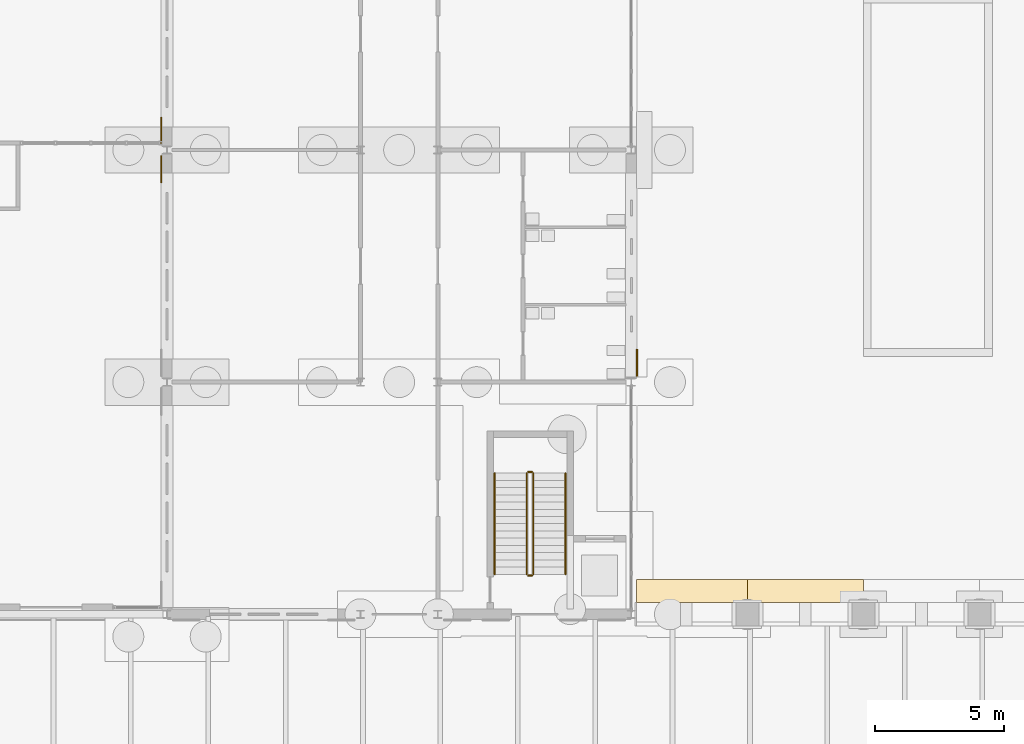
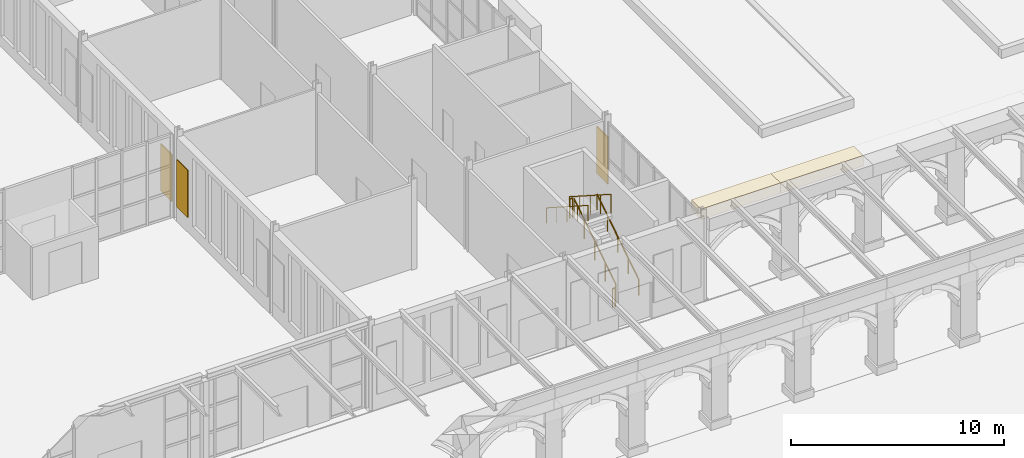
# One storey, part 135 of 168: 6 railings, 5 coverings.
"""IFC4 building model written with IfcOpenShell, lengths in metres."""

from ifc_helpers import new_model, si_unit, direction, frame, origin, origin_2d, place, context, subcontext, project, spatial, polyline, rectangle, circle, outline, extrude, material, layer, layer_set, material_profile, profile_set, type_object, element, save


model = new_model("IFC4")

# Units and contexts
model_context = context("Model", 3, precision=1e-05, world=origin(), true_north=direction((0.0, 1.0)))
body_context = subcontext(model_context, "Body", "Model", "MODEL_VIEW")
ifc_project = project(units=[si_unit("LENGTHUNIT", "METRE"), si_unit("AREAUNIT", "SQUARE_METRE"), si_unit("VOLUMEUNIT", "CUBIC_METRE"), si_unit("PLANEANGLEUNIT", "RADIAN"), si_unit("MASSUNIT", "GRAM", prefix="KILO")], contexts=[model_context])

# Site, building, storey
site_placement = place(None, origin())
site = spatial("IfcSite", under=ifc_project, at=site_placement, CompositionType="ELEMENT")
building_placement = place(site_placement, origin())
building = spatial("IfcBuilding", under=site, at=building_placement, Name="Golden Quay Civic Hall", CompositionType="ELEMENT")
storey_placement = place(building_placement, origin())
storey = spatial("IfcBuildingStorey", under=building, at=storey_placement, Name="L00", CompositionType="ELEMENT", Elevation=0.0)

# Railings
ifc_material_1 = material(Name="Steel S355", Category="steel")
railing_type_1 = type_object("IfcRailingType", Name="Steel guard 1100", PredefinedType="GUARDRAIL", material=ifc_material_1)
railing_1_placement = place(storey_placement, frame((113.199951171875, 1.550048828125, 0.179931640625)))
element("IfcRailing", 1, at=railing_1_placement, inside=storey, type_object=railing_type_1, Name="L00 EM-S stair guard 1", PredefinedType="GUARDRAIL", context=body_context, shape_type="SweptSolid", body=[
    extrude(circle(Radius=0.02392578125, at=origin_2d()), frame((0.0, 0.0, 1.076171875), z_axis=(0.0, 0.841171666519, 0.540768182723), x_axis=(-1.0, 0.0, 0.0)), (0.0, 0.0, 1.0), 4.66015625),
    extrude(circle(Radius=0.02099609375, at=origin_2d()), origin(), (0.0, 0.0, 1.0), 1.052001953125),
    extrude(circle(Radius=0.02099609375, at=origin_2d()), frame((0.0, 0.97998046875, 0.6298828125)), (0.0, 0.0, 1.0), 1.052001953125),
    extrude(circle(Radius=0.02099609375, at=origin_2d()), frame((0.0, 1.9599609375, 1.260009765625)), (0.0, 0.0, 1.0), 1.052001953125),
    extrude(circle(Radius=0.02099609375, at=origin_2d()), frame((0.0, 2.93994140625, 1.89013671875)), (0.0, 0.0, 1.0), 1.052001953125),
    extrude(circle(Radius=0.02099609375, at=origin_2d()), frame((0.0, 3.919921875, 2.52001953125)), (0.0, 0.0, 1.0), 1.052001953125),
])
railing_2_placement = place(storey_placement, frame((113.14990234375, 5.52001953125, 2.699951171875)))
element("IfcRailing", 2, at=railing_2_placement, inside=storey, type_object=railing_type_1, Name="L00 EM-S stair guard 2", PredefinedType="GUARDRAIL", context=body_context, shape_type="SweptSolid", body=[
    extrude(circle(Radius=0.02392578125, at=origin_2d()), frame((0.0, 0.0, 1.076171875), z_axis=(-1.0, 0.0, 0.0), x_axis=(0.0, -1.0, 0.0)), (0.0, 0.0, 1.0), 0.14990234375),
    extrude(circle(Radius=0.02099609375, at=origin_2d()), origin(), (0.0, 0.0, 1.0), 1.052001953125),
    extrude(circle(Radius=0.02099609375, at=origin_2d()), frame((-0.14990234375, 0.0, 0.0)), (0.0, 0.0, 1.0), 1.052001953125),
])
railing_3_placement = place(storey_placement, frame((112.949951171875, 5.469970703125, 2.8798828125)))
element("IfcRailing", 3, at=railing_3_placement, inside=storey, type_object=railing_type_1, Name="L00 EM-S stair guard 3", PredefinedType="GUARDRAIL", context=body_context, shape_type="SweptSolid", body=[
    extrude(circle(Radius=0.02392578125, at=origin_2d()), frame((0.0, 0.0, 1.076171875), z_axis=(0.0, -0.841171666519, 0.540768182723), x_axis=(1.0, 0.0, 0.0)), (0.0, 0.0, 1.0), 4.66015625),
    extrude(circle(Radius=0.02099609375, at=origin_2d()), origin(), (0.0, 0.0, 1.0), 1.052001953125),
    extrude(circle(Radius=0.02099609375, at=origin_2d()), frame((0.0, -0.97998046875, 0.6298828125)), (0.0, 0.0, 1.0), 1.052001953125),
    extrude(circle(Radius=0.02099609375, at=origin_2d()), frame((0.0, -1.9599609375, 1.260009765625)), (0.0, 0.0, 1.0), 1.052001953125),
    extrude(circle(Radius=0.02099609375, at=origin_2d()), frame((0.0, -2.93994140625, 1.89013671875)), (0.0, 0.0, 1.0), 1.052001953125),
    extrude(circle(Radius=0.02099609375, at=origin_2d()), frame((0.0, -3.919921875, 2.52001953125)), (0.0, 0.0, 1.0), 1.052001953125),
])
railing_4_placement = place(storey_placement, frame((113.14990234375, 1.5, 0.0)))
element("IfcRailing", 4, at=railing_4_placement, inside=storey, type_object=railing_type_1, Name="L00 EM-S stair guard 4", PredefinedType="GUARDRAIL", context=body_context, shape_type="SweptSolid", body=[
    extrude(circle(Radius=0.02392578125, at=origin_2d()), frame((0.0, 0.0, 1.076171875), z_axis=(-1.0, 0.0, 0.0), x_axis=(0.0, -1.0, 0.0)), (0.0, 0.0, 1.0), 0.14990234375),
    extrude(circle(Radius=0.02099609375, at=origin_2d()), origin(), (0.0, 0.0, 1.0), 1.052001953125),
    extrude(circle(Radius=0.02099609375, at=origin_2d()), frame((-0.14990234375, 0.0, 0.0)), (0.0, 0.0, 1.0), 1.052001953125),
])
ifc_material_2 = material(Name="Steel S355", Category="steel")
railing_type_2 = type_object("IfcRailingType", Name="Steel handrail 900", PredefinedType="HANDRAIL", material=ifc_material_2)
railing_5_placement = place(storey_placement, frame((114.449951171875, 1.550048828125, 0.179931640625)))
element("IfcRailing", 5, at=railing_5_placement, inside=storey, type_object=railing_type_2, Name="L00 EM-S stair handrail 1", PredefinedType="HANDRAIL", context=body_context, shape_type="SweptSolid", body=[
    extrude(circle(Radius=0.02392578125, at=origin_2d()), frame((0.0, 0.0, 0.8759765625), z_axis=(0.0, 0.841171666519, 0.540768182723), x_axis=(-1.0, 0.0, 0.0)), (0.0, 0.0, 1.0), 4.66015625),
    extrude(circle(Radius=0.02099609375, at=origin_2d()), origin(), (0.0, 0.0, 1.0), 0.851806640625),
    extrude(circle(Radius=0.02099609375, at=origin_2d()), frame((0.0, 0.97998046875, 0.6298828125)), (0.0, 0.0, 1.0), 0.851806640625),
    extrude(circle(Radius=0.02099609375, at=origin_2d()), frame((0.0, 1.9599609375, 1.260009765625)), (0.0, 0.0, 1.0), 0.851806640625),
    extrude(circle(Radius=0.02099609375, at=origin_2d()), frame((0.0, 2.93994140625, 1.89013671875)), (0.0, 0.0, 1.0), 0.851806640625),
    extrude(circle(Radius=0.02099609375, at=origin_2d()), frame((0.0, 3.919921875, 2.52001953125)), (0.0, 0.0, 1.0), 0.851806640625),
])
railing_6_placement = place(storey_placement, frame((111.699951171875, 5.469970703125, 2.8798828125)))
element("IfcRailing", 6, at=railing_6_placement, inside=storey, type_object=railing_type_2, Name="L00 EM-S stair handrail 2", PredefinedType="HANDRAIL", context=body_context, shape_type="SweptSolid", body=[
    extrude(circle(Radius=0.02392578125, at=origin_2d()), frame((0.0, 0.0, 0.8759765625), z_axis=(0.0, -0.841171666519, 0.540768182723), x_axis=(1.0, 0.0, 0.0)), (0.0, 0.0, 1.0), 4.66015625),
    extrude(circle(Radius=0.02099609375, at=origin_2d()), origin(), (0.0, 0.0, 1.0), 0.851806640625),
    extrude(circle(Radius=0.02099609375, at=origin_2d()), frame((0.0, -0.97998046875, 0.6298828125)), (0.0, 0.0, 1.0), 0.851806640625),
    extrude(circle(Radius=0.02099609375, at=origin_2d()), frame((0.0, -1.9599609375, 1.260009765625)), (0.0, 0.0, 1.0), 0.851806640625),
    extrude(circle(Radius=0.02099609375, at=origin_2d()), frame((0.0, -2.93994140625, 1.89013671875)), (0.0, 0.0, 1.0), 0.851806640625),
    extrude(circle(Radius=0.02099609375, at=origin_2d()), frame((0.0, -3.919921875, 2.52001953125)), (0.0, 0.0, 1.0), 0.851806640625),
])

# Coverings
ifc_material_3 = material(Name="Stone, buff limestone", Category="masonry")
ifc_material_profile = material_profile(ifc_material_3, rectangle(XDim=0.89990234375, YDim=0.60009765625, at=origin_2d()), Name="RC 900x600")
ifc_profile_set = profile_set([ifc_material_profile], Name="Stone, buff limestone")
covering_type_1 = type_object("IfcCoveringType", Name="Stone cornice 900 x 600", PredefinedType="MOLDING", material=ifc_profile_set)
covering_1_placement = place(storey_placement, frame((117.199951171875, 0.89990234375, 4.5), z_axis=(1.0, 0.0, 0.0), x_axis=(0.0, 1.0, 0.0)))
element("IfcCovering", 7, at=covering_1_placement, inside=storey, type_object=covering_type_1, Name="Stone cornice inner1 bay 1", PredefinedType="MOLDING", context=body_context, shape_type="SweptSolid", body=[
    extrude(rectangle(XDim=0.89990234375, YDim=0.60009765625, at=origin_2d()), origin(), (0.0, 0.0, 1.0), 4.300048828125),
])
covering_2_placement = place(storey_placement, frame((121.5, 0.89990234375, 4.5), z_axis=(1.0, 0.0, 0.0), x_axis=(0.0, 1.0, 0.0)))
element("IfcCovering", 8, at=covering_2_placement, inside=storey, type_object=covering_type_1, Name="Stone cornice inner1 bay 2", PredefinedType="MOLDING", context=body_context, shape_type="SweptSolid", body=[
    extrude(rectangle(XDim=0.89990234375, YDim=0.60009765625, at=origin_2d()), origin(), (0.0, 0.0, 1.0), 4.5),
])
ifc_material_4 = material(Name="Terracotta cladding, golden glaze", Category="masonry")
ifc_layer = layer(ifc_material_4, 0.050048828125)
ifc_layer_set = layer_set([ifc_layer], Name="Terracotta solid panel 1050 x 2700 x 50")
covering_type_2 = type_object("IfcCoveringType", Name="Terracotta solid panel 1050 x 2700 x 50", PredefinedType="CLADDING", material=ifc_layer_set)
covering_3_placement = place(storey_placement, frame((0.0, 0.0, 0.89990234375)))
element("IfcCovering", 9, at=covering_3_placement, inside=storey, type_object=covering_type_2, Name="Terracotta solid panel 1050 x 2700 x 50 L00 51", PredefinedType="CLADDING", context=body_context, shape_type="SweptSolid", body=[
    extrude(outline(polyline([(98.800048828125, 16.72509765625), (98.800048828125, 17.77490234375), (98.75, 17.77490234375), (98.75, 16.72509765625), (98.800048828125, 16.72509765625)])), origin(), (0.0, 0.0, 1.0), 2.7001953125),
])
covering_4_placement = place(storey_placement, frame((0.0, 0.0, 0.89990234375)))
element("IfcCovering", 10, at=covering_4_placement, inside=storey, type_object=covering_type_2, Name="Terracotta solid panel 1050 x 2700 x 50 L00 52", PredefinedType="CLADDING", context=body_context, shape_type="SweptSolid", body=[
    extrude(outline(polyline([(98.800048828125, 18.22509765625), (98.800048828125, 19.27490234375), (98.75, 19.27490234375), (98.75, 18.22509765625), (98.800048828125, 18.22509765625)])), origin(), (0.0, 0.0, 1.0), 2.7001953125),
])
covering_5_placement = place(storey_placement, frame((0.0, 0.0, 0.89990234375)))
element("IfcCovering", 11, at=covering_5_placement, inside=storey, type_object=covering_type_2, Name="Terracotta solid panel 1050 x 2700 x 50 L00 66", PredefinedType="CLADDING", context=body_context, shape_type="SweptSolid", body=[
    extrude(outline(polyline([(117.199951171875, 9.22509765625), (117.199951171875, 10.27490234375), (117.25, 10.27490234375), (117.25, 9.22509765625), (117.199951171875, 9.22509765625)])), origin(), (0.0, 0.0, 1.0), 2.7001953125),
])

save(model, "model.ifc")
